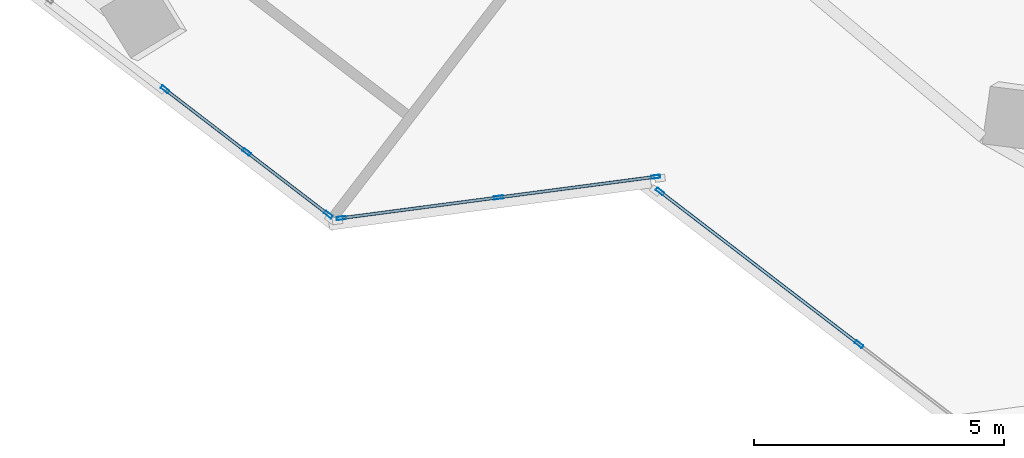
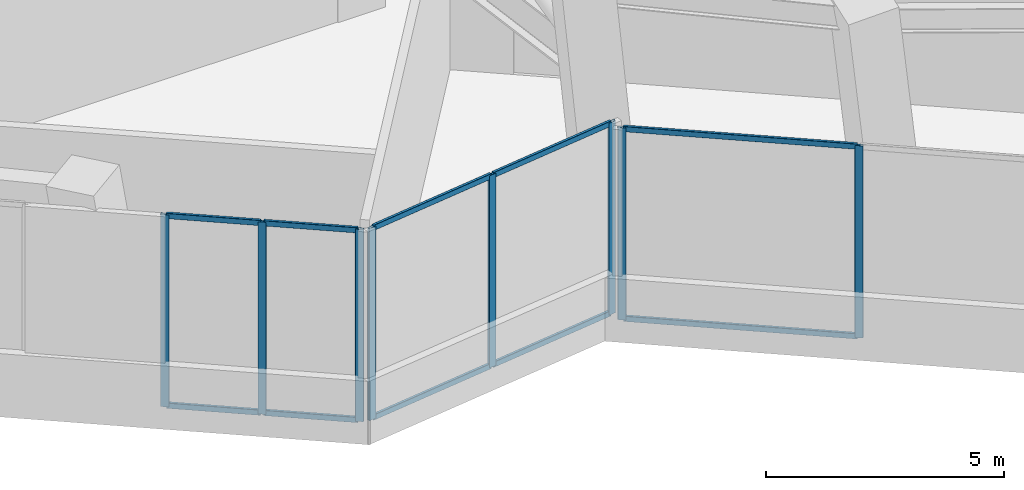
# One storey, part 3 of 22: 18 members, 3 elements without a shape of their own.
"""IFC4 building model written with IfcOpenShell, lengths in metres."""

from ifc_helpers import new_model, si_unit, direction, frame, origin, origin_2d, place, context, subcontext, project, spatial, hollow_rectangle, extrude, source, transform, mapped, material, material_profile, profile_set, type_object, element, aggregate, save


model = new_model("IFC4")

# Units and contexts
model_context = context("Model", 3, precision=1e-05, world=origin(), true_north=direction((0.0, 1.0)))
body_context = subcontext(model_context, "Body", "Model", "MODEL_VIEW")
ifc_project = project(units=[si_unit("LENGTHUNIT", "METRE"), si_unit("AREAUNIT", "SQUARE_METRE"), si_unit("VOLUMEUNIT", "CUBIC_METRE"), si_unit("PLANEANGLEUNIT", "RADIAN"), si_unit("MASSUNIT", "GRAM", prefix="KILO")], contexts=[model_context])

# Site, building, storey
site_placement = place(None, origin())
site = spatial("IfcSite", under=ifc_project, at=site_placement, CompositionType="ELEMENT")
building_placement = place(site_placement, origin())
building = spatial("IfcBuilding", under=site, at=building_placement, Name="Torre Montelarca", CompositionType="ELEMENT")
storey_placement = place(building_placement, frame((0.0, 0.0, 209.800048828125)))
storey = spatial("IfcBuildingStorey", under=building, at=storey_placement, Name="L47", CompositionType="ELEMENT", Elevation=209.800048828125)

# Curtain wall, members
ifc_material_1 = material(Name="Insulated low-E laminated glass", Category="glass")
curtain_wall_type = type_object("IfcCurtainWallType", Name="CW-SYS-Z2", PredefinedType="USERDEFINED", material=ifc_material_1)
curtain_wall_1_placement = place(storey_placement, origin())
curtain_wall_1 = element("IfcCurtainWall", 1, at=curtain_wall_1_placement, inside=storey, type_object=curtain_wall_type, Name="L47 Curtain Wall Run CW-T3-L47-E02-B1", ObjectType="UNITISED GLAZING", PredefinedType="USERDEFINED")
ifc_material_2 = material(Name="Anodised aluminium AA 6063-T6", Category="aluminium")
ifc_material_profile_1 = material_profile(ifc_material_2, hollow_rectangle(XDim=0.06494140625, YDim=0.139892578125, WallThickness=0.00390625, InnerFilletRadius=0.00390625, OuterFilletRadius=0.008056640625, at=origin_2d()), Name="ALU65X140X4", Category="aluminium")
ifc_profile_set_1 = profile_set([ifc_material_profile_1], Name="Anodised aluminium AA 6063-T6")
member_type_1 = type_object("IfcMemberType", Name="CWT-ALU140", PredefinedType="USERDEFINED", material=ifc_profile_set_1)
shared_shape_1 = source(origin(), body_context, "Body", "SweptSolid", [
    extrude(hollow_rectangle(XDim=0.06494140625, YDim=0.139892578125, WallThickness=0.00390625, InnerFilletRadius=0.00390625, OuterFilletRadius=0.008056640625, at=origin_2d()), origin(), (0.0, 0.0, 1.0), 3.102783203125),
])
member_1_placement = place(storey_placement, frame((22.42041015625, 11.498046875, 0.032470703125), z_axis=(0.991453224212, 0.130462654424, 0.0), x_axis=(-0.130462654424, 0.991453224212, 0.0)))
member_1 = element("IfcMember", 2, at=member_1_placement, type_object=member_type_1, Name="CW transom 2.1", ObjectType="TRANSOM", PredefinedType="USERDEFINED", context=body_context, shape_type="MappedRepresentation", body=[
    mapped(shared_shape_1, transform((0.0, 0.0, 0.0), scale=1.0)),
])
member_2_placement = place(storey_placement, frame((22.42041015625, 11.498046875, 4.887451171875), z_axis=(0.991453224212, 0.130462654424, 0.0), x_axis=(-0.130462654424, 0.991453224212, 0.0)))
member_2 = element("IfcMember", 3, at=member_2_placement, type_object=member_type_1, Name="CW transom 2.2", ObjectType="TRANSOM", PredefinedType="USERDEFINED", context=body_context, shape_type="MappedRepresentation", body=[
    mapped(shared_shape_1, transform((0.0, 0.0, 0.0), scale=1.0)),
])
shared_shape_2 = source(origin(), body_context, "Body", "SweptSolid", [
    extrude(hollow_rectangle(XDim=0.06494140625, YDim=0.139892578125, WallThickness=0.00390625, InnerFilletRadius=0.00390625, OuterFilletRadius=0.008056640625, at=origin_2d()), origin(), (0.0, 0.0, 1.0), 3.1025390625),
])
member_3_placement = place(storey_placement, frame((19.280029296875, 11.08447265625, 0.032470703125), z_axis=(0.991441702334, 0.130550185266, 0.0), x_axis=(-0.130550185266, 0.991441702334, 0.0)))
member_3 = element("IfcMember", 4, at=member_3_placement, type_object=member_type_1, Name="CW transom 1.1", ObjectType="TRANSOM", PredefinedType="USERDEFINED", context=body_context, shape_type="MappedRepresentation", body=[
    mapped(shared_shape_2, transform((0.0, 0.0, 0.0), scale=1.0)),
])
member_4_placement = place(storey_placement, frame((19.280029296875, 11.08447265625, 4.887451171875), z_axis=(0.991441702334, 0.130550185266, 0.0), x_axis=(-0.130550185266, 0.991441702334, 0.0)))
member_4 = element("IfcMember", 5, at=member_4_placement, type_object=member_type_1, Name="CW transom 1.2", ObjectType="TRANSOM", PredefinedType="USERDEFINED", context=body_context, shape_type="MappedRepresentation", body=[
    mapped(shared_shape_2, transform((0.0, 0.0, 0.0), scale=1.0)),
])

curtain_wall_2_placement = place(storey_placement, origin())
curtain_wall_2 = element("IfcCurtainWall", 6, at=curtain_wall_2_placement, inside=storey, type_object=curtain_wall_type, Name="L47 Curtain Wall Run CW-T3-L47-E01-B3", ObjectType="UNITISED GLAZING", PredefinedType="USERDEFINED")
ifc_material_profile_2 = material_profile(ifc_material_2, hollow_rectangle(XDim=0.06494140625, YDim=0.179931640625, WallThickness=0.00390625, InnerFilletRadius=0.00390625, OuterFilletRadius=0.008056640625, at=origin_2d()), Name="ALU65X180X4", Category="aluminium")
ifc_profile_set_2 = profile_set([ifc_material_profile_2], Name="Anodised aluminium AA 6063-T6")
member_type_2 = type_object("IfcMemberType", Name="CWM-ALU180", PredefinedType="MULLION", material=ifc_profile_set_2)
shared_shape_3 = source(origin(), body_context, "Body", "SweptSolid", [
    extrude(hollow_rectangle(XDim=0.06494140625, YDim=0.179931640625, WallThickness=0.00390625, InnerFilletRadius=0.00390625, OuterFilletRadius=0.008056640625, at=origin_2d()), origin(), (0.0, 0.0, 1.0), 4.919921875),
])
member_5_placement = place(storey_placement, frame((15.725830078125, 13.65380859375, 0.0), z_axis=(0.0, 0.0, 1.0), x_axis=(0.608753994894, 0.793359044633, 0.0)))
member_5 = element("IfcMember", 7, at=member_5_placement, type_object=member_type_2, Name="CW mullion 1", PredefinedType="MULLION", context=body_context, shape_type="MappedRepresentation", body=[
    mapped(shared_shape_3, transform((0.0, 0.0, 0.0), scale=1.0)),
])
member_6_placement = place(storey_placement, frame((17.35791015625, 12.401611328125, 0.0), z_axis=(0.0, 0.0, 1.0), x_axis=(0.608753994894, 0.793359044633, 0.0)))
member_6 = element("IfcMember", 8, at=member_6_placement, type_object=member_type_2, Name="CW mullion 2", PredefinedType="MULLION", context=body_context, shape_type="MappedRepresentation", body=[
    mapped(shared_shape_3, transform((0.0, 0.0, 0.0), scale=1.0)),
])
member_7_placement = place(storey_placement, frame((18.989990234375, 11.1494140625, 0.0), z_axis=(0.0, 0.0, 1.0), x_axis=(0.608753994894, 0.793359044633, 0.0)))
member_7 = element("IfcMember", 9, at=member_7_placement, type_object=member_type_2, Name="CW mullion 3", PredefinedType="MULLION", context=body_context, shape_type="MappedRepresentation", body=[
    mapped(shared_shape_3, transform((0.0, 0.0, 0.0), scale=1.0)),
])

# Member
member_8_placement = place(storey_placement, frame((19.247802734375, 11.080322265625, 0.0), z_axis=(0.0, 0.0, 1.0), x_axis=(-0.130495333836, 0.991448923469, 0.0)))
member_8 = element("IfcMember", 10, at=member_8_placement, type_object=member_type_2, Name="CW mullion 1", PredefinedType="MULLION", context=body_context, shape_type="MappedRepresentation", body=[
    mapped(shared_shape_3, transform((0.0, 0.0, 0.0), scale=1.0)),
])

member_9_placement = place(storey_placement, frame((22.38818359375, 11.49365234375, 0.0), z_axis=(0.0, 0.0, 1.0), x_axis=(-0.130495333836, 0.991448923469, 0.0)))
member_9 = element("IfcMember", 11, at=member_9_placement, type_object=member_type_2, Name="CW mullion 2", PredefinedType="MULLION", context=body_context, shape_type="MappedRepresentation", body=[
    mapped(shared_shape_3, transform((0.0, 0.0, 0.0), scale=1.0)),
])

member_10_placement = place(storey_placement, frame((25.52880859375, 11.906982421875, 0.0), z_axis=(0.0, 0.0, 1.0), x_axis=(-0.130495333836, 0.991448923469, 0.0)))
member_10 = element("IfcMember", 12, at=member_10_placement, type_object=member_type_2, Name="CW mullion 3", PredefinedType="MULLION", context=body_context, shape_type="MappedRepresentation", body=[
    mapped(shared_shape_3, transform((0.0, 0.0, 0.0), scale=1.0)),
])

aggregate(curtain_wall_1, [member_8, member_9, member_10, member_3, member_4, member_1, member_2])

# Curtain wall, members
curtain_wall_3_placement = place(storey_placement, origin())
curtain_wall_3 = element("IfcCurtainWall", 13, at=curtain_wall_3_placement, inside=storey, type_object=curtain_wall_type, Name="L47 Curtain Wall Run CW-T3-L47-E04-B1", ObjectType="UNITISED GLAZING", PredefinedType="USERDEFINED")
member_11_placement = place(storey_placement, frame((25.613525390625, 11.61279296875, 0.0), z_axis=(0.0, 0.0, 1.0), x_axis=(0.608757874476, 0.793356067767, 0.0)))
member_11 = element("IfcMember", 14, at=member_11_placement, type_object=member_type_2, Name="CW mullion 1", PredefinedType="MULLION", context=body_context, shape_type="MappedRepresentation", body=[
    mapped(shared_shape_3, transform((0.0, 0.0, 0.0), scale=1.0)),
])
member_12_placement = place(storey_placement, frame((29.591064453125, 8.560791015625, 0.0), z_axis=(0.0, 0.0, 1.0), x_axis=(0.608757874476, 0.793356067767, 0.0)))
member_12 = element("IfcMember", 15, at=member_12_placement, type_object=member_type_2, Name="CW mullion 2", PredefinedType="MULLION", context=body_context, shape_type="MappedRepresentation", body=[
    mapped(shared_shape_3, transform((0.0, 0.0, 0.0), scale=1.0)),
])
shared_shape_4 = source(origin(), body_context, "Body", "SweptSolid", [
    extrude(hollow_rectangle(XDim=0.06494140625, YDim=0.139892578125, WallThickness=0.00390625, InnerFilletRadius=0.00390625, OuterFilletRadius=0.008056640625, at=origin_2d()), origin(), (0.0, 0.0, 1.0), 4.948486328125),
])
member_13_placement = place(storey_placement, frame((25.639404296875, 11.593017578125, 0.032470703125), z_axis=(0.793362520658, -0.608749464735, 0.0), x_axis=(0.608749464735, 0.793362520658, 0.0)))
member_13 = element("IfcMember", 16, at=member_13_placement, type_object=member_type_1, Name="CW transom 1.1", ObjectType="TRANSOM", PredefinedType="USERDEFINED", context=body_context, shape_type="MappedRepresentation", body=[
    mapped(shared_shape_4, transform((0.0, 0.0, 0.0), scale=1.0)),
])
member_14_placement = place(storey_placement, frame((25.639404296875, 11.593017578125, 4.887451171875), z_axis=(0.793362520658, -0.608749464735, 0.0), x_axis=(0.608749464735, 0.793362520658, 0.0)))
member_14 = element("IfcMember", 17, at=member_14_placement, type_object=member_type_1, Name="CW transom 1.2", ObjectType="TRANSOM", PredefinedType="USERDEFINED", context=body_context, shape_type="MappedRepresentation", body=[
    mapped(shared_shape_4, transform((0.0, 0.0, 0.0), scale=1.0)),
])
aggregate(curtain_wall_3, [member_11, member_12, member_13, member_14])

# Member
shared_shape_5 = source(origin(), body_context, "Body", "SweptSolid", [
    extrude(hollow_rectangle(XDim=0.06494140625, YDim=0.139892578125, WallThickness=0.00390625, InnerFilletRadius=0.00390625, OuterFilletRadius=0.008056640625, at=origin_2d()), origin(), (0.0, 0.0, 1.0), 1.991943359375),
])
member_15_placement = place(storey_placement, frame((15.751708984375, 13.634033203125, 0.032470703125), z_axis=(0.793347870404, -0.608768557438, 0.0), x_axis=(0.608768557438, 0.793347870404, 0.0)))
member_15 = element("IfcMember", 18, at=member_15_placement, type_object=member_type_1, Name="CW transom 1.1", ObjectType="TRANSOM", PredefinedType="USERDEFINED", context=body_context, shape_type="MappedRepresentation", body=[
    mapped(shared_shape_5, transform((0.0, 0.0, 0.0), scale=1.0)),
])

member_16_placement = place(storey_placement, frame((15.751708984375, 13.634033203125, 4.887451171875), z_axis=(0.793347870404, -0.608768557438, 0.0), x_axis=(0.608768557438, 0.793347870404, 0.0)))
member_16 = element("IfcMember", 19, at=member_16_placement, type_object=member_type_1, Name="CW transom 1.2", ObjectType="TRANSOM", PredefinedType="USERDEFINED", context=body_context, shape_type="MappedRepresentation", body=[
    mapped(shared_shape_5, transform((0.0, 0.0, 0.0), scale=1.0)),
])

member_17_placement = place(storey_placement, frame((17.3837890625, 12.3818359375, 0.032470703125), z_axis=(0.793347870404, -0.608768557438, 0.0), x_axis=(0.608768557438, 0.793347870404, 0.0)))
member_17 = element("IfcMember", 20, at=member_17_placement, type_object=member_type_1, Name="CW transom 2.1", ObjectType="TRANSOM", PredefinedType="USERDEFINED", context=body_context, shape_type="MappedRepresentation", body=[
    mapped(shared_shape_5, transform((0.0, 0.0, 0.0), scale=1.0)),
])

member_18_placement = place(storey_placement, frame((17.3837890625, 12.3818359375, 4.887451171875), z_axis=(0.793347870404, -0.608768557438, 0.0), x_axis=(0.608768557438, 0.793347870404, 0.0)))
member_18 = element("IfcMember", 21, at=member_18_placement, type_object=member_type_1, Name="CW transom 2.2", ObjectType="TRANSOM", PredefinedType="USERDEFINED", context=body_context, shape_type="MappedRepresentation", body=[
    mapped(shared_shape_5, transform((0.0, 0.0, 0.0), scale=1.0)),
])

aggregate(curtain_wall_2, [member_5, member_6, member_7, member_15, member_16, member_17, member_18])

save(model, "model.ifc")
